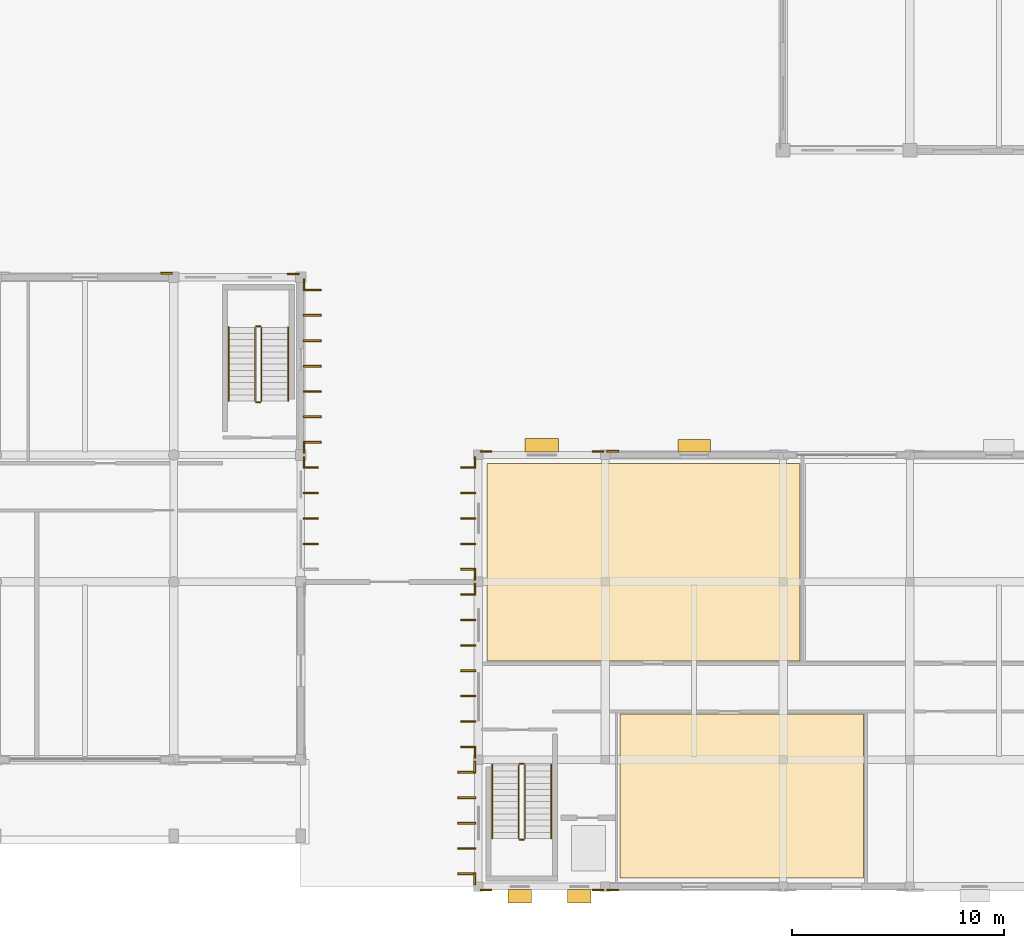
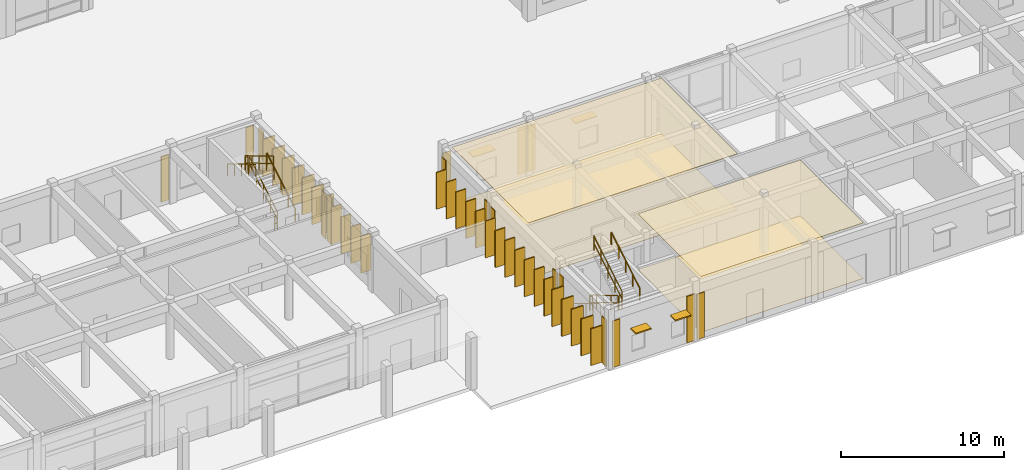
# One storey, part 56 of 67: 32 shading devices, 21 coverings, 12 railings.
"""IFC4 building model written with IfcOpenShell, lengths in metres."""

from ifc_helpers import new_model, si_unit, direction, frame, origin, origin_2d, place, context, subcontext, project, spatial, polyline, rectangle, outline, extrude, material, layer, layer_set, type_object, element, save


model = new_model("IFC4")

# Units and contexts
model_context = context("Model", 3, precision=1e-05, world=origin(), true_north=direction((0.0, 1.0)))
body_context = subcontext(model_context, "Body", "Model", "MODEL_VIEW")
ifc_project = project(units=[si_unit("LENGTHUNIT", "METRE"), si_unit("AREAUNIT", "SQUARE_METRE"), si_unit("VOLUMEUNIT", "CUBIC_METRE"), si_unit("PLANEANGLEUNIT", "RADIAN"), si_unit("MASSUNIT", "GRAM", prefix="KILO"), si_unit("THERMODYNAMICTEMPERATUREUNIT", "KELVIN")], contexts=[model_context])

# Site, building, storey
site_placement = place(None, origin())
site = spatial("IfcSite", under=ifc_project, at=site_placement, CompositionType="ELEMENT")
building_placement = place(site_placement, origin())
building = spatial("IfcBuilding", under=site, at=building_placement, Name="Thalorik Housing Commons", CompositionType="ELEMENT")
storey_placement = place(building_placement, origin())
storey = spatial("IfcBuildingStorey", under=building, at=storey_placement, Name="L00", CompositionType="ELEMENT", Elevation=0.0)

# Coverings
ifc_material_1 = material(Name="Cobalt blue glazed ceramic facade tile panel", Category="masonry")
ifc_layer_1 = layer(ifc_material_1, 0.06005859375, Name="Cobalt blue glazed ceramic facade tile panel", Category="masonry")
ifc_layer_set_1 = layer_set([ifc_layer_1], Name="Cobalt blue glazed ceramic facade tile panel")
covering_type_1 = type_object("IfcCoveringType", Name="ARC-CLD-BLU-60", PredefinedType="CLADDING", material=ifc_layer_set_1)
for number, where, z_axis, x_axis, name in (
    (1, (123.949951171875, 8.23291015625, 0.0498046875), (0.0, 0.0, 1.0), (1.0, 0.0, 0.0), "L00 Architectural Facade Cladding 5193"),
    (2, (129.25, 8.23291015625, 0.0498046875), (0.0, 0.0, 1.0), (1.0, 0.0, 0.0), "L00 Architectural Facade Cladding 5194"),
    (3, (123.43310546875, 28.449951171875, 0.0498046875), (0.0, 0.0, 1.0), (0.0, -1.0, 0.0), "L00 Architectural Facade Cladding 5217"),
    (4, (123.43310546875, 23.14990234375, 0.0498046875), (0.0, 0.0, 1.0), (0.0, -1.0, 0.0), "L00 Architectural Facade Cladding 5218"),
):
    element("IfcCovering", number, at=place(storey_placement, frame(where, z_axis=z_axis, x_axis=x_axis)), inside=storey, type_object=covering_type_1, Name=name, PredefinedType="CLADDING", context=body_context, shape_type="SweptSolid", body=[
        extrude(rectangle(XDim=0.550048828125, YDim=0.06005859375, at=origin_2d()), origin(), (0.0, 0.0, 1.0), 3.485107421875),
    ])
for number, where, z_axis, x_axis, name in (
    (5, (115.359619140625, 29.14990234375, 0.0498046875), (0.0, 0.0, 1.0), (0.0, 1.0, 0.0), "L00 Architectural Facade Cladding 5264"),
    (6, (115.359619140625, 36.85009765625, 0.0498046875), (0.0, 0.0, 1.0), (0.0, 1.0, 0.0), "L00 Architectural Facade Cladding 5265"),
):
    element("IfcCovering", number, at=place(storey_placement, frame(where, z_axis=z_axis, x_axis=x_axis)), inside=storey, type_object=covering_type_1, Name=name, PredefinedType="CLADDING", context=body_context, shape_type="SweptSolid", body=[
        extrude(rectangle(XDim=0.550048828125, YDim=0.06005859375, at=origin_2d()), origin(), (0.0, 0.0, 1.0), 3.385009765625),
    ])
ifc_material_2 = material(Name="Precast concrete C40/50", Category="concrete")
ifc_layer_2 = layer(ifc_material_2, 0.074951171875, Name="Precast concrete C40/50", Category="concrete")
ifc_layer_set_2 = layer_set([ifc_layer_2], Name="Precast concrete C40/50")
covering_type_2 = type_object("IfcCoveringType", Name="ARC-CLD-PIER-75", PredefinedType="CLADDING", material=ifc_layer_set_2)
for number, where, z_axis, x_axis, name in (
    (7, (123.425537109375, 14.050048828125, 0.0498046875), (0.0, 0.0, 1.0), (0.0, -1.0, 0.0), "L00 Architectural Facade Cladding 5221"),
    (8, (123.425537109375, 8.75, 0.0498046875), (0.0, 0.0, 1.0), (0.0, -1.0, 0.0), "L00 Architectural Facade Cladding 5222"),
):
    element("IfcCovering", number, at=place(storey_placement, frame(where, z_axis=z_axis, x_axis=x_axis)), inside=storey, type_object=covering_type_2, Name=name, PredefinedType="CLADDING", context=body_context, shape_type="SweptSolid", body=[
        extrude(rectangle(XDim=0.550048828125, YDim=0.074951171875, at=origin_2d()), origin(), (0.0, 0.0, 1.0), 3.485107421875),
    ])
ifc_layer_3 = layer(ifc_material_2, 0.090087890625, Name="Precast concrete C40/50", Category="concrete")
ifc_layer_set_3 = layer_set([ifc_layer_3], Name="Precast concrete C40/50")
covering_type_3 = type_object("IfcCoveringType", Name="ARC-CLD-PIER-90", PredefinedType="CLADDING", material=ifc_layer_set_3)
for number, where, z_axis, x_axis, name in (
    (9, (129.949951171875, 28.98193359375, 0.0498046875), (0.0, 0.0, 1.0), (-1.0, 0.0, 0.0), "L00 Architectural Facade Cladding 5214"),
    (10, (108.85009765625, 37.389404296875, 0.0498046875), (0.0, 0.0, 1.0), (-1.0, 0.0, 0.0), "L00 Architectural Facade Cladding 5267"),
):
    element("IfcCovering", number, at=place(storey_placement, frame(where, z_axis=z_axis, x_axis=x_axis)), inside=storey, type_object=covering_type_3, Name=name, PredefinedType="CLADDING", context=body_context, shape_type="SweptSolid", body=[
        extrude(rectangle(XDim=0.550048828125, YDim=0.090087890625, at=origin_2d()), origin(), (0.0, 0.0, 1.0), 3.385009765625),
    ])
ifc_material_3 = material(Name="Terracotta red mineral fibre-cement panel", Category="masonry")
ifc_layer_4 = layer(ifc_material_3, 0.054931640625, Name="Terracotta red mineral fibre-cement panel", Category="masonry")
ifc_layer_set_4 = layer_set([ifc_layer_4], Name="Terracotta red mineral fibre-cement panel")
covering_type_4 = type_object("IfcCoveringType", Name="ARC-CLD-RED-55", PredefinedType="CLADDING", material=ifc_layer_set_4)
covering_1_placement = place(storey_placement, frame((129.949951171875, 8.235595703125, 0.0498046875), z_axis=(0.0, 0.0, 1.0), x_axis=(1.0, 0.0, 0.0)))
element("IfcCovering", 11, at=covering_1_placement, inside=storey, type_object=covering_type_4, Name="L00 Architectural Facade Cladding 5195", PredefinedType="CLADDING", context=body_context, shape_type="SweptSolid", body=[
    extrude(rectangle(XDim=0.550048828125, YDim=0.054931640625, at=origin_2d()), origin(), (0.0, 0.0, 1.0), 3.385009765625),
])
for number, where, z_axis, x_axis, name in (
    (12, (129.25, 28.964599609375, 0.0498046875), (0.0, 0.0, 1.0), (-1.0, 0.0, 0.0), "L00 Architectural Facade Cladding 5215"),
    (13, (123.949951171875, 28.964599609375, 0.0498046875), (0.0, 0.0, 1.0), (-1.0, 0.0, 0.0), "L00 Architectural Facade Cladding 5216"),
    (14, (115.35693359375, 28.449951171875, 0.0498046875), (0.0, 0.0, 1.0), (0.0, 1.0, 0.0), "L00 Architectural Facade Cladding 5263"),
):
    element("IfcCovering", number, at=place(storey_placement, frame(where, z_axis=z_axis, x_axis=x_axis)), inside=storey, type_object=covering_type_4, Name=name, PredefinedType="CLADDING", context=body_context, shape_type="SweptSolid", body=[
        extrude(rectangle(XDim=0.550048828125, YDim=0.054931640625, at=origin_2d()), origin(), (0.0, 0.0, 1.0), 3.485107421875),
    ])
ifc_material_4 = material(Name="Mineral ochre architectural terracotta panel", Category="masonry")
ifc_layer_5 = layer(ifc_material_4, 0.06494140625, Name="Mineral ochre architectural terracotta panel", Category="masonry")
ifc_layer_set_5 = layer_set([ifc_layer_5], Name="Mineral ochre architectural terracotta panel")
covering_type_5 = type_object("IfcCoveringType", Name="ARC-CLD-YEL-65", PredefinedType="CLADDING", material=ifc_layer_set_5)
for number, where, z_axis, x_axis, name in (
    (15, (123.430419921875, 22.449951171875, 0.0498046875), (0.0, 0.0, 1.0), (0.0, -1.0, 0.0), "L00 Architectural Facade Cladding 5219"),
    (16, (123.430419921875, 14.75, 0.0498046875), (0.0, 0.0, 1.0), (0.0, -1.0, 0.0), "L00 Architectural Facade Cladding 5220"),
):
    element("IfcCovering", number, at=place(storey_placement, frame(where, z_axis=z_axis, x_axis=x_axis)), inside=storey, type_object=covering_type_5, Name=name, PredefinedType="CLADDING", context=body_context, shape_type="SweptSolid", body=[
        extrude(rectangle(XDim=0.550048828125, YDim=0.06494140625, at=origin_2d()), origin(), (0.0, 0.0, 1.0), 3.385009765625),
    ])
covering_2_placement = place(storey_placement, frame((114.85009765625, 37.362060546875, 0.0498046875), z_axis=(0.0, 0.0, 1.0), x_axis=(-1.0, 0.0, 0.0)))
element("IfcCovering", 17, at=covering_2_placement, inside=storey, type_object=covering_type_5, Name="L00 Architectural Facade Cladding 5266", PredefinedType="CLADDING", context=body_context, shape_type="SweptSolid", body=[
    extrude(rectangle(XDim=0.550048828125, YDim=0.06494140625, at=origin_2d()), origin(), (0.0, 0.0, 1.0), 3.485107421875),
])
ifc_material_5 = material(Name="Moisture-resistant gypsum bathroom ceiling")
ifc_layer_6 = layer(ifc_material_5, 0.02490234375, Name="Moisture-resistant gypsum bathroom ceiling")
ifc_layer_set_6 = layer_set([ifc_layer_6], Name="Moisture-resistant gypsum bathroom ceiling")
covering_type_6 = type_object("IfcCoveringType", Name="ARC-COV-CEIL-04", PredefinedType="CEILING", material=ifc_layer_set_6)
covering_3_placement = place(storey_placement, frame((0.0, 0.0, 4.175048828125)))
element("IfcCovering", 18, at=covering_3_placement, inside=storey, type_object=covering_type_6, Name="L00 Infant Playroom Suspended Ceiling", PredefinedType="CEILING", context=body_context, shape_type="SweptSolid", body=[
    extrude(outline(polyline([(141.800048828125, 8.800048828125), (141.800048828125, 16.550048828125), (130.300048828125, 16.550048828125), (130.300048828125, 8.800048828125), (141.800048828125, 8.800048828125)])), origin(), (0.0, 0.0, 1.0), 0.02490234375),
])
ifc_material_6 = material(Name="Fire-rated calcium silicate corridor ceiling")
ifc_layer_7 = layer(ifc_material_6, 0.030029296875, Name="Fire-rated calcium silicate corridor ceiling")
ifc_layer_set_7 = layer_set([ifc_layer_7], Name="Fire-rated calcium silicate corridor ceiling")
covering_type_7 = type_object("IfcCoveringType", Name="ARC-COV-CEIL-05", PredefinedType="CEILING", material=ifc_layer_set_7)
covering_4_placement = place(storey_placement, frame((0.0, 0.0, 4.169921875)))
element("IfcCovering", 19, at=covering_4_placement, inside=storey, type_object=covering_type_7, Name="L00 Toddler Playroom Suspended Ceiling", PredefinedType="CEILING", context=body_context, shape_type="SweptSolid", body=[
    extrude(outline(polyline([(138.800048828125, 19.050048828125), (138.800048828125, 28.39990234375), (124.0, 28.39990234375), (124.0, 19.050048828125), (138.800048828125, 19.050048828125)])), origin(), (0.0, 0.0, 1.0), 0.030029296875),
])
ifc_material_7 = material(Name="Sprung Brazilian oak assembly hall timber floor", Category="wood")
ifc_layer_8 = layer(ifc_material_7, 0.02392578125, Name="Sprung Brazilian oak assembly hall timber floor", Category="wood")
ifc_layer_set_8 = layer_set([ifc_layer_8], Name="Sprung Brazilian oak assembly hall timber floor")
covering_type_8 = type_object("IfcCoveringType", Name="ARC-COV-FLR-04", PredefinedType="FLOORING", material=ifc_layer_set_8)
covering_5_placement = place(storey_placement, origin())
element("IfcCovering", 20, at=covering_5_placement, inside=storey, type_object=covering_type_8, Name="L00 Infant Playroom Flooring", PredefinedType="FLOORING", context=body_context, shape_type="SweptSolid", body=[
    extrude(outline(polyline([(141.800048828125, 8.800048828125), (141.800048828125, 16.550048828125), (130.300048828125, 16.550048828125), (130.300048828125, 8.800048828125), (141.800048828125, 8.800048828125)])), origin(), (0.0, 0.0, 1.0), 0.02392578125),
])
ifc_material_8 = material(Name="Heavy-duty porcelain metro vestibule tile")
ifc_layer_9 = layer(ifc_material_8, 0.028076171875, Name="Heavy-duty porcelain metro vestibule tile")
ifc_layer_set_9 = layer_set([ifc_layer_9], Name="Heavy-duty porcelain metro vestibule tile")
covering_type_9 = type_object("IfcCoveringType", Name="ARC-COV-FLR-05", PredefinedType="FLOORING", material=ifc_layer_set_9)
covering_6_placement = place(storey_placement, origin())
element("IfcCovering", 21, at=covering_6_placement, inside=storey, type_object=covering_type_9, Name="L00 Toddler Playroom Flooring", PredefinedType="FLOORING", context=body_context, shape_type="SweptSolid", body=[
    extrude(outline(polyline([(138.800048828125, 19.050048828125), (138.800048828125, 28.39990234375), (124.0, 28.39990234375), (124.0, 19.050048828125), (138.800048828125, 19.050048828125)])), origin(), (0.0, 0.0, 1.0), 0.028076171875),
])

# Shading devices
ifc_material_9 = material(Name="Cobalt blue anodised aluminium", Category="aluminium")
shading_device_type_1 = type_object("IfcShadingDeviceType", Name="ARC-FIN-BLU-700", PredefinedType="USERDEFINED", material=ifc_material_9)
for number, where, z_axis, x_axis, name in (
    (22, (123.114990234375, 22.199951171875, 0.1201171875), (0.0, 0.0, 1.0), (0.0, -1.0, 0.0), "L00 Vertical Precast Solar Fin 113"),
    (23, (123.114990234375, 21.0, 0.1201171875), (0.0, 0.0, 1.0), (0.0, -1.0, 0.0), "L00 Vertical Precast Solar Fin 114"),
    (24, (123.114990234375, 19.800048828125, 0.1201171875), (0.0, 0.0, 1.0), (0.0, -1.0, 0.0), "L00 Vertical Precast Solar Fin 115"),
    (25, (123.114990234375, 18.60009765625, 0.1201171875), (0.0, 0.0, 1.0), (0.0, -1.0, 0.0), "L00 Vertical Precast Solar Fin 116"),
    (26, (123.114990234375, 17.39990234375, 0.1201171875), (0.0, 0.0, 1.0), (0.0, -1.0, 0.0), "L00 Vertical Precast Solar Fin 117"),
    (27, (123.114990234375, 16.199951171875, 0.1201171875), (0.0, 0.0, 1.0), (0.0, -1.0, 0.0), "L00 Vertical Precast Solar Fin 118"),
    (28, (123.114990234375, 15.0, 0.1201171875), (0.0, 0.0, 1.0), (0.0, -1.0, 0.0), "L00 Vertical Precast Solar Fin 119"),
    (29, (115.677490234375, 24.60009765625, 0.1201171875), (0.0, 0.0, 1.0), (0.0, 1.0, 0.0), "L00 Vertical Precast Solar Fin 159"),
    (30, (115.677490234375, 25.800048828125, 0.1201171875), (0.0, 0.0, 1.0), (0.0, 1.0, 0.0), "L00 Vertical Precast Solar Fin 160"),
    (31, (115.677490234375, 27.0, 0.1201171875), (0.0, 0.0, 1.0), (0.0, 1.0, 0.0), "L00 Vertical Precast Solar Fin 161"),
    (32, (115.677490234375, 28.199951171875, 0.1201171875), (0.0, 0.0, 1.0), (0.0, 1.0, 0.0), "L00 Vertical Precast Solar Fin 162"),
):
    element("IfcShadingDevice", number, at=place(storey_placement, frame(where, z_axis=z_axis, x_axis=x_axis)), inside=storey, type_object=shading_device_type_1, Name=name, ObjectType="FIN", PredefinedType="USERDEFINED", context=body_context, shape_type="SweptSolid", body=[
        extrude(rectangle(XDim=0.074951171875, YDim=0.699951171875, at=origin_2d()), origin(), (0.0, 0.0, 1.0), 2.75),
    ])
shading_device_type_2 = type_object("IfcShadingDeviceType", Name="ARC-FIN-PC-850A", PredefinedType="USERDEFINED", material=ifc_material_2)
for number, where, z_axis, x_axis, name in (
    (33, (123.0400390625, 13.800048828125, 0.1201171875), (0.0, 0.0, 1.0), (0.0, -1.0, 0.0), "L00 Vertical Precast Solar Fin 120"),
    (34, (123.0400390625, 12.60009765625, 0.1201171875), (0.0, 0.0, 1.0), (0.0, -1.0, 0.0), "L00 Vertical Precast Solar Fin 121"),
    (35, (123.0400390625, 11.39990234375, 0.1201171875), (0.0, 0.0, 1.0), (0.0, -1.0, 0.0), "L00 Vertical Precast Solar Fin 122"),
    (36, (123.0400390625, 10.199951171875, 0.1201171875), (0.0, 0.0, 1.0), (0.0, -1.0, 0.0), "L00 Vertical Precast Solar Fin 123"),
    (37, (123.0400390625, 9.0, 0.1201171875), (0.0, 0.0, 1.0), (0.0, -1.0, 0.0), "L00 Vertical Precast Solar Fin 124"),
    (38, (115.75244140625, 29.39990234375, 0.1201171875), (0.0, 0.0, 1.0), (0.0, 1.0, 0.0), "L00 Vertical Precast Solar Fin 163"),
    (39, (115.75244140625, 30.60009765625, 0.1201171875), (0.0, 0.0, 1.0), (0.0, 1.0, 0.0), "L00 Vertical Precast Solar Fin 164"),
    (40, (115.75244140625, 31.800048828125, 0.1201171875), (0.0, 0.0, 1.0), (0.0, 1.0, 0.0), "L00 Vertical Precast Solar Fin 165"),
    (41, (115.75244140625, 33.0, 0.1201171875), (0.0, 0.0, 1.0), (0.0, 1.0, 0.0), "L00 Vertical Precast Solar Fin 166"),
    (42, (115.75244140625, 34.199951171875, 0.1201171875), (0.0, 0.0, 1.0), (0.0, 1.0, 0.0), "L00 Vertical Precast Solar Fin 167"),
    (43, (115.75244140625, 35.39990234375, 0.1201171875), (0.0, 0.0, 1.0), (0.0, 1.0, 0.0), "L00 Vertical Precast Solar Fin 168"),
    (44, (115.75244140625, 36.60009765625, 0.1201171875), (0.0, 0.0, 1.0), (0.0, 1.0, 0.0), "L00 Vertical Precast Solar Fin 169"),
):
    element("IfcShadingDevice", number, at=place(storey_placement, frame(where, z_axis=z_axis, x_axis=x_axis)), inside=storey, type_object=shading_device_type_2, Name=name, ObjectType="FIN", PredefinedType="USERDEFINED", context=body_context, shape_type="SweptSolid", body=[
        extrude(rectangle(XDim=0.090087890625, YDim=0.85009765625, at=origin_2d()), origin(), (0.0, 0.0, 1.0), 2.75),
    ])
ifc_material_10 = material(Name="Oxide red precast concrete C40/50", Category="concrete")
shading_device_type_3 = type_object("IfcShadingDeviceType", Name="ARC-FIN-RED-700", PredefinedType="USERDEFINED", material=ifc_material_10)
for number, where, z_axis, x_axis, name in (
    (45, (123.114990234375, 28.199951171875, 0.1201171875), (0.0, 0.0, 1.0), (0.0, -1.0, 0.0), "L00 Vertical Precast Solar Fin 108"),
    (46, (123.114990234375, 27.0, 0.1201171875), (0.0, 0.0, 1.0), (0.0, -1.0, 0.0), "L00 Vertical Precast Solar Fin 109"),
    (47, (123.114990234375, 25.800048828125, 0.1201171875), (0.0, 0.0, 1.0), (0.0, -1.0, 0.0), "L00 Vertical Precast Solar Fin 110"),
    (48, (123.114990234375, 24.60009765625, 0.1201171875), (0.0, 0.0, 1.0), (0.0, -1.0, 0.0), "L00 Vertical Precast Solar Fin 111"),
    (49, (123.114990234375, 23.39990234375, 0.1201171875), (0.0, 0.0, 1.0), (0.0, -1.0, 0.0), "L00 Vertical Precast Solar Fin 112"),
):
    element("IfcShadingDevice", number, at=place(storey_placement, frame(where, z_axis=z_axis, x_axis=x_axis)), inside=storey, type_object=shading_device_type_3, Name=name, ObjectType="FIN", PredefinedType="USERDEFINED", context=body_context, shape_type="SweptSolid", body=[
        extrude(rectangle(XDim=0.074951171875, YDim=0.699951171875, at=origin_2d()), origin(), (0.0, 0.0, 1.0), 2.75),
    ])
ifc_material_11 = material(Name="Anodised aluminium sun-louvre blade", Category="aluminium")
shading_device_type_4 = type_object("IfcShadingDeviceType", Name="ARC-LVR-ALU-600", PredefinedType="JALOUSIE", material=ifc_material_11)
shading_device_1_placement = place(storey_placement, frame((133.800048828125, 29.235107421875, 2.43994140625), z_axis=(0.0, 0.0, 1.0), x_axis=(-1.0, 0.0, 0.0)))
element("IfcShadingDevice", 50, at=shading_device_1_placement, inside=storey, type_object=shading_device_type_4, Name="L00 Horizontal Sun-Louvre 106", PredefinedType="JALOUSIE", context=body_context, shape_type="SweptSolid", body=[
    extrude(rectangle(XDim=1.52001953125, YDim=0.60009765625, at=origin_2d()), origin(), (0.0, 0.0, 1.0), 0.080078125),
])
ifc_material_12 = material(Name="Mineral ochre aluminium sun-louvre", Category="aluminium")
shading_device_type_5 = type_object("IfcShadingDeviceType", Name="ARC-LVR-OCH-650", PredefinedType="JALOUSIE", material=ifc_material_12)
for number, where, z_axis, x_axis, name in (
    (51, (125.554931640625, 7.93994140625, 2.43505859375), (0.0, 0.0, 1.0), (1.0, 0.0, 0.0), "L00 Horizontal Sun-Louvre 80"),
    (52, (128.364990234375, 7.93994140625, 2.43505859375), (0.0, 0.0, 1.0), (1.0, 0.0, 0.0), "L00 Horizontal Sun-Louvre 81"),
):
    element("IfcShadingDevice", number, at=place(storey_placement, frame(where, z_axis=z_axis, x_axis=x_axis)), inside=storey, type_object=shading_device_type_5, Name=name, PredefinedType="JALOUSIE", context=body_context, shape_type="SweptSolid", body=[
        extrude(rectangle(XDim=1.10009765625, YDim=0.64990234375, at=origin_2d()), origin(), (0.0, 0.0, 1.0), 0.090087890625),
    ])
shading_device_2_placement = place(storey_placement, frame((126.60009765625, 29.260009765625, 2.43505859375), z_axis=(0.0, 0.0, 1.0), x_axis=(-1.0, 0.0, 0.0)))
element("IfcShadingDevice", 53, at=shading_device_2_placement, inside=storey, type_object=shading_device_type_5, Name="L00 Horizontal Sun-Louvre 107", PredefinedType="JALOUSIE", context=body_context, shape_type="SweptSolid", body=[
    extrude(rectangle(XDim=1.580078125, YDim=0.64990234375, at=origin_2d()), origin(), (0.0, 0.0, 1.0), 0.090087890625),
])

# Railings
ifc_material_13 = material(Name="Steel S355", Category="steel")
railing_type_1 = type_object("IfcRailingType", Name="ARC-RL-STR-GRD110", PredefinedType="GUARDRAIL", material=ifc_material_13)
railing_1_placement = place(storey_placement, frame((125.5, 14.14990234375, 0.173095703125)))
element("IfcRailing", 54, at=railing_1_placement, inside=storey, type_object=railing_type_1, Name="L00 ST-N1 stair guard 1", PredefinedType="GUARDRAIL", context=body_context, shape_type="SweptSolid", body=[
    extrude(rectangle(XDim=0.048095703125, YDim=0.048095703125, at=origin_2d()), frame((0.0, 0.0, 1.076171875), z_axis=(0.0, -0.858697190188, 0.512483302717), x_axis=(1.0, 0.0, 0.0)), (0.0, 0.0, 1.0), 4.052734375),
    extrude(rectangle(XDim=0.048095703125, YDim=0.048095703125, at=origin_2d()), frame((0.0, 0.0, 0.52587890625), z_axis=(0.0, -0.858697190188, 0.512483302717), x_axis=(1.0, 0.0, 0.0)), (0.0, 0.0, 1.0), 4.052734375),
    extrude(rectangle(XDim=0.0419921875, YDim=0.0419921875, at=origin_2d()), origin(), (0.0, 0.0, 1.0), 1.052001953125),
    extrude(rectangle(XDim=0.0419921875, YDim=0.0419921875, at=origin_2d()), frame((0.0, -0.8701171875, 0.519287109375)), (0.0, 0.0, 1.0), 1.052001953125),
    extrude(rectangle(XDim=0.0419921875, YDim=0.0419921875, at=origin_2d()), frame((0.0, -1.739990234375, 1.03857421875)), (0.0, 0.0, 1.0), 1.052001953125),
    extrude(rectangle(XDim=0.0419921875, YDim=0.0419921875, at=origin_2d()), frame((0.0, -2.60986328125, 1.5576171875)), (0.0, 0.0, 1.0), 1.052001953125),
    extrude(rectangle(XDim=0.0419921875, YDim=0.0419921875, at=origin_2d()), frame((0.0, -3.47998046875, 2.076904296875)), (0.0, 0.0, 1.0), 1.052001953125),
])
railing_2_placement = place(storey_placement, frame((125.550048828125, 10.6201171875, 2.25)))
element("IfcRailing", 55, at=railing_2_placement, inside=storey, type_object=railing_type_1, Name="L00 ST-N1 stair guard 2", PredefinedType="GUARDRAIL", context=body_context, shape_type="SweptSolid", body=[
    extrude(rectangle(XDim=0.048095703125, YDim=0.048095703125, at=origin_2d()), frame((0.0, 0.0, 1.076171875), z_axis=(1.0, 0.0, 0.0), x_axis=(0.0, 1.0, 0.0)), (0.0, 0.0, 1.0), 0.199951171875),
    extrude(rectangle(XDim=0.048095703125, YDim=0.048095703125, at=origin_2d()), frame((0.0, 0.0, 0.52587890625), z_axis=(1.0, 0.0, 0.0), x_axis=(0.0, 1.0, 0.0)), (0.0, 0.0, 1.0), 0.199951171875),
    extrude(rectangle(XDim=0.0419921875, YDim=0.0419921875, at=origin_2d()), origin(), (0.0, 0.0, 1.0), 1.052001953125),
    extrude(rectangle(XDim=0.0419921875, YDim=0.0419921875, at=origin_2d()), frame((0.199951171875, 0.0, 0.0)), (0.0, 0.0, 1.0), 1.052001953125),
])
railing_3_placement = place(storey_placement, frame((125.800048828125, 10.669921875, 2.423095703125)))
element("IfcRailing", 56, at=railing_3_placement, inside=storey, type_object=railing_type_1, Name="L00 ST-N1 stair guard 3", PredefinedType="GUARDRAIL", context=body_context, shape_type="SweptSolid", body=[
    extrude(rectangle(XDim=0.048095703125, YDim=0.048095703125, at=origin_2d()), frame((0.0, 0.0, 1.076171875), z_axis=(0.0, 0.858697190188, 0.512483302717), x_axis=(-1.0, 0.0, 0.0)), (0.0, 0.0, 1.0), 4.052734375),
    extrude(rectangle(XDim=0.048095703125, YDim=0.048095703125, at=origin_2d()), frame((0.0, 0.0, 0.52587890625), z_axis=(0.0, 0.858697190188, 0.512483302717), x_axis=(-1.0, 0.0, 0.0)), (0.0, 0.0, 1.0), 4.052734375),
    extrude(rectangle(XDim=0.0419921875, YDim=0.0419921875, at=origin_2d()), origin(), (0.0, 0.0, 1.0), 1.052001953125),
    extrude(rectangle(XDim=0.0419921875, YDim=0.0419921875, at=origin_2d()), frame((0.0, 0.8701171875, 0.519287109375)), (0.0, 0.0, 1.0), 1.052001953125),
    extrude(rectangle(XDim=0.0419921875, YDim=0.0419921875, at=origin_2d()), frame((0.0, 1.739990234375, 1.03857421875)), (0.0, 0.0, 1.0), 1.052001953125),
    extrude(rectangle(XDim=0.0419921875, YDim=0.0419921875, at=origin_2d()), frame((0.0, 2.60986328125, 1.5576171875)), (0.0, 0.0, 1.0), 1.052001953125),
    extrude(rectangle(XDim=0.0419921875, YDim=0.0419921875, at=origin_2d()), frame((0.0, 3.47998046875, 2.076904296875)), (0.0, 0.0, 1.0), 1.052001953125),
])
railing_4_placement = place(storey_placement, frame((125.550048828125, 14.199951171875, 0.0)))
element("IfcRailing", 57, at=railing_4_placement, inside=storey, type_object=railing_type_1, Name="L00 ST-N1 stair guard 4", PredefinedType="GUARDRAIL", context=body_context, shape_type="SweptSolid", body=[
    extrude(rectangle(XDim=0.048095703125, YDim=0.048095703125, at=origin_2d()), frame((0.0, 0.0, 1.076171875), z_axis=(1.0, 0.0, 0.0), x_axis=(0.0, 1.0, 0.0)), (0.0, 0.0, 1.0), 0.199951171875),
    extrude(rectangle(XDim=0.048095703125, YDim=0.048095703125, at=origin_2d()), frame((0.0, 0.0, 0.52587890625), z_axis=(1.0, 0.0, 0.0), x_axis=(0.0, 1.0, 0.0)), (0.0, 0.0, 1.0), 0.199951171875),
    extrude(rectangle(XDim=0.0419921875, YDim=0.0419921875, at=origin_2d()), origin(), (0.0, 0.0, 1.0), 1.052001953125),
    extrude(rectangle(XDim=0.0419921875, YDim=0.0419921875, at=origin_2d()), frame((0.199951171875, 0.0, 0.0)), (0.0, 0.0, 1.0), 1.052001953125),
])
railing_5_placement = place(storey_placement, frame((113.35009765625, 31.35009765625, 0.173095703125)))
element("IfcRailing", 58, at=railing_5_placement, inside=storey, type_object=railing_type_1, Name="L00 ST-S2 stair guard 1", PredefinedType="GUARDRAIL", context=body_context, shape_type="SweptSolid", body=[
    extrude(rectangle(XDim=0.048095703125, YDim=0.048095703125, at=origin_2d()), frame((0.0, 0.0, 1.076171875), z_axis=(0.0, 0.858697190188, 0.512483302717), x_axis=(-1.0, 0.0, 0.0)), (0.0, 0.0, 1.0), 4.052734375),
    extrude(rectangle(XDim=0.048095703125, YDim=0.048095703125, at=origin_2d()), frame((0.0, 0.0, 0.52587890625), z_axis=(0.0, 0.858697190188, 0.512483302717), x_axis=(-1.0, 0.0, 0.0)), (0.0, 0.0, 1.0), 4.052734375),
    extrude(rectangle(XDim=0.0419921875, YDim=0.0419921875, at=origin_2d()), origin(), (0.0, 0.0, 1.0), 1.052001953125),
    extrude(rectangle(XDim=0.0419921875, YDim=0.0419921875, at=origin_2d()), frame((0.0, 0.8701171875, 0.519287109375)), (0.0, 0.0, 1.0), 1.052001953125),
    extrude(rectangle(XDim=0.0419921875, YDim=0.0419921875, at=origin_2d()), frame((0.0, 1.739990234375, 1.03857421875)), (0.0, 0.0, 1.0), 1.052001953125),
    extrude(rectangle(XDim=0.0419921875, YDim=0.0419921875, at=origin_2d()), frame((0.0, 2.60986328125, 1.5576171875)), (0.0, 0.0, 1.0), 1.052001953125),
    extrude(rectangle(XDim=0.0419921875, YDim=0.0419921875, at=origin_2d()), frame((0.0, 3.47998046875, 2.076904296875)), (0.0, 0.0, 1.0), 1.052001953125),
])
railing_6_placement = place(storey_placement, frame((113.300048828125, 34.8798828125, 2.25)))
element("IfcRailing", 59, at=railing_6_placement, inside=storey, type_object=railing_type_1, Name="L00 ST-S2 stair guard 2", PredefinedType="GUARDRAIL", context=body_context, shape_type="SweptSolid", body=[
    extrude(rectangle(XDim=0.048095703125, YDim=0.048095703125, at=origin_2d()), frame((0.0, 0.0, 1.076171875), z_axis=(-1.0, 0.0, 0.0), x_axis=(0.0, -1.0, 0.0)), (0.0, 0.0, 1.0), 0.199951171875),
    extrude(rectangle(XDim=0.048095703125, YDim=0.048095703125, at=origin_2d()), frame((0.0, 0.0, 0.52587890625), z_axis=(-1.0, 0.0, 0.0), x_axis=(0.0, -1.0, 0.0)), (0.0, 0.0, 1.0), 0.199951171875),
    extrude(rectangle(XDim=0.0419921875, YDim=0.0419921875, at=origin_2d()), origin(), (0.0, 0.0, 1.0), 1.052001953125),
    extrude(rectangle(XDim=0.0419921875, YDim=0.0419921875, at=origin_2d()), frame((-0.199951171875, 0.0, 0.0)), (0.0, 0.0, 1.0), 1.052001953125),
])
railing_7_placement = place(storey_placement, frame((113.050048828125, 34.830078125, 2.423095703125)))
element("IfcRailing", 60, at=railing_7_placement, inside=storey, type_object=railing_type_1, Name="L00 ST-S2 stair guard 3", PredefinedType="GUARDRAIL", context=body_context, shape_type="SweptSolid", body=[
    extrude(rectangle(XDim=0.048095703125, YDim=0.048095703125, at=origin_2d()), frame((0.0, 0.0, 1.076171875), z_axis=(0.0, -0.858697190188, 0.512483302717), x_axis=(1.0, 0.0, 0.0)), (0.0, 0.0, 1.0), 4.052734375),
    extrude(rectangle(XDim=0.048095703125, YDim=0.048095703125, at=origin_2d()), frame((0.0, 0.0, 0.52587890625), z_axis=(0.0, -0.858697190188, 0.512483302717), x_axis=(1.0, 0.0, 0.0)), (0.0, 0.0, 1.0), 4.052734375),
    extrude(rectangle(XDim=0.0419921875, YDim=0.0419921875, at=origin_2d()), origin(), (0.0, 0.0, 1.0), 1.052001953125),
    extrude(rectangle(XDim=0.0419921875, YDim=0.0419921875, at=origin_2d()), frame((0.0, -0.8701171875, 0.519287109375)), (0.0, 0.0, 1.0), 1.052001953125),
    extrude(rectangle(XDim=0.0419921875, YDim=0.0419921875, at=origin_2d()), frame((0.0, -1.739990234375, 1.03857421875)), (0.0, 0.0, 1.0), 1.052001953125),
    extrude(rectangle(XDim=0.0419921875, YDim=0.0419921875, at=origin_2d()), frame((0.0, -2.60986328125, 1.5576171875)), (0.0, 0.0, 1.0), 1.052001953125),
    extrude(rectangle(XDim=0.0419921875, YDim=0.0419921875, at=origin_2d()), frame((0.0, -3.47998046875, 2.076904296875)), (0.0, 0.0, 1.0), 1.052001953125),
])
railing_8_placement = place(storey_placement, frame((113.300048828125, 31.300048828125, 0.0)))
element("IfcRailing", 61, at=railing_8_placement, inside=storey, type_object=railing_type_1, Name="L00 ST-S2 stair guard 4", PredefinedType="GUARDRAIL", context=body_context, shape_type="SweptSolid", body=[
    extrude(rectangle(XDim=0.048095703125, YDim=0.048095703125, at=origin_2d()), frame((0.0, 0.0, 1.076171875), z_axis=(-1.0, 0.0, 0.0), x_axis=(0.0, -1.0, 0.0)), (0.0, 0.0, 1.0), 0.199951171875),
    extrude(rectangle(XDim=0.048095703125, YDim=0.048095703125, at=origin_2d()), frame((0.0, 0.0, 0.52587890625), z_axis=(-1.0, 0.0, 0.0), x_axis=(0.0, -1.0, 0.0)), (0.0, 0.0, 1.0), 0.199951171875),
    extrude(rectangle(XDim=0.0419921875, YDim=0.0419921875, at=origin_2d()), origin(), (0.0, 0.0, 1.0), 1.052001953125),
    extrude(rectangle(XDim=0.0419921875, YDim=0.0419921875, at=origin_2d()), frame((-0.199951171875, 0.0, 0.0)), (0.0, 0.0, 1.0), 1.052001953125),
])
railing_type_2 = type_object("IfcRailingType", Name="ARC-RL-STR-HR092", PredefinedType="HANDRAIL", material=ifc_material_13)
railing_9_placement = place(storey_placement, frame((124.25, 14.14990234375, 0.173095703125)))
element("IfcRailing", 62, at=railing_9_placement, inside=storey, type_object=railing_type_2, Name="L00 ST-N1 stair handrail 1", PredefinedType="HANDRAIL", context=body_context, shape_type="SweptSolid", body=[
    extrude(rectangle(XDim=0.048095703125, YDim=0.048095703125, at=origin_2d()), frame((0.0, 0.0, 0.89599609375), z_axis=(0.0, -0.858697190188, 0.512483302717), x_axis=(1.0, 0.0, 0.0)), (0.0, 0.0, 1.0), 4.052734375),
    extrude(rectangle(XDim=0.0419921875, YDim=0.0419921875, at=origin_2d()), origin(), (0.0, 0.0, 1.0), 0.871826171875),
    extrude(rectangle(XDim=0.0419921875, YDim=0.0419921875, at=origin_2d()), frame((0.0, -0.8701171875, 0.519287109375)), (0.0, 0.0, 1.0), 0.871826171875),
    extrude(rectangle(XDim=0.0419921875, YDim=0.0419921875, at=origin_2d()), frame((0.0, -1.739990234375, 1.03857421875)), (0.0, 0.0, 1.0), 0.871826171875),
    extrude(rectangle(XDim=0.0419921875, YDim=0.0419921875, at=origin_2d()), frame((0.0, -2.60986328125, 1.5576171875)), (0.0, 0.0, 1.0), 0.871826171875),
    extrude(rectangle(XDim=0.0419921875, YDim=0.0419921875, at=origin_2d()), frame((0.0, -3.47998046875, 2.076904296875)), (0.0, 0.0, 1.0), 0.871826171875),
])
for number, where, name in (
    (63, (127.050048828125, 10.669921875, 2.423095703125), "L00 ST-N1 stair handrail 2"),
    (64, (114.60009765625, 31.35009765625, 0.173095703125), "L00 ST-S2 stair handrail 1"),
):
    element("IfcRailing", number, at=place(storey_placement, frame(where)), inside=storey, type_object=railing_type_2, Name=name, PredefinedType="HANDRAIL", context=body_context, shape_type="SweptSolid", body=[
        extrude(rectangle(XDim=0.048095703125, YDim=0.048095703125, at=origin_2d()), frame((0.0, 0.0, 0.89599609375), z_axis=(0.0, 0.858697190188, 0.512483302717), x_axis=(-1.0, 0.0, 0.0)), (0.0, 0.0, 1.0), 4.052734375),
        extrude(rectangle(XDim=0.0419921875, YDim=0.0419921875, at=origin_2d()), origin(), (0.0, 0.0, 1.0), 0.871826171875),
        extrude(rectangle(XDim=0.0419921875, YDim=0.0419921875, at=origin_2d()), frame((0.0, 0.8701171875, 0.519287109375)), (0.0, 0.0, 1.0), 0.871826171875),
        extrude(rectangle(XDim=0.0419921875, YDim=0.0419921875, at=origin_2d()), frame((0.0, 1.739990234375, 1.03857421875)), (0.0, 0.0, 1.0), 0.871826171875),
        extrude(rectangle(XDim=0.0419921875, YDim=0.0419921875, at=origin_2d()), frame((0.0, 2.60986328125, 1.5576171875)), (0.0, 0.0, 1.0), 0.871826171875),
        extrude(rectangle(XDim=0.0419921875, YDim=0.0419921875, at=origin_2d()), frame((0.0, 3.47998046875, 2.076904296875)), (0.0, 0.0, 1.0), 0.871826171875),
    ])
railing_10_placement = place(storey_placement, frame((111.800048828125, 34.830078125, 2.423095703125)))
element("IfcRailing", 65, at=railing_10_placement, inside=storey, type_object=railing_type_2, Name="L00 ST-S2 stair handrail 2", PredefinedType="HANDRAIL", context=body_context, shape_type="SweptSolid", body=[
    extrude(rectangle(XDim=0.048095703125, YDim=0.048095703125, at=origin_2d()), frame((0.0, 0.0, 0.89599609375), z_axis=(0.0, -0.858697190188, 0.512483302717), x_axis=(1.0, 0.0, 0.0)), (0.0, 0.0, 1.0), 4.052734375),
    extrude(rectangle(XDim=0.0419921875, YDim=0.0419921875, at=origin_2d()), origin(), (0.0, 0.0, 1.0), 0.871826171875),
    extrude(rectangle(XDim=0.0419921875, YDim=0.0419921875, at=origin_2d()), frame((0.0, -0.8701171875, 0.519287109375)), (0.0, 0.0, 1.0), 0.871826171875),
    extrude(rectangle(XDim=0.0419921875, YDim=0.0419921875, at=origin_2d()), frame((0.0, -1.739990234375, 1.03857421875)), (0.0, 0.0, 1.0), 0.871826171875),
    extrude(rectangle(XDim=0.0419921875, YDim=0.0419921875, at=origin_2d()), frame((0.0, -2.60986328125, 1.5576171875)), (0.0, 0.0, 1.0), 0.871826171875),
    extrude(rectangle(XDim=0.0419921875, YDim=0.0419921875, at=origin_2d()), frame((0.0, -3.47998046875, 2.076904296875)), (0.0, 0.0, 1.0), 0.871826171875),
])

save(model, "model.ifc")
